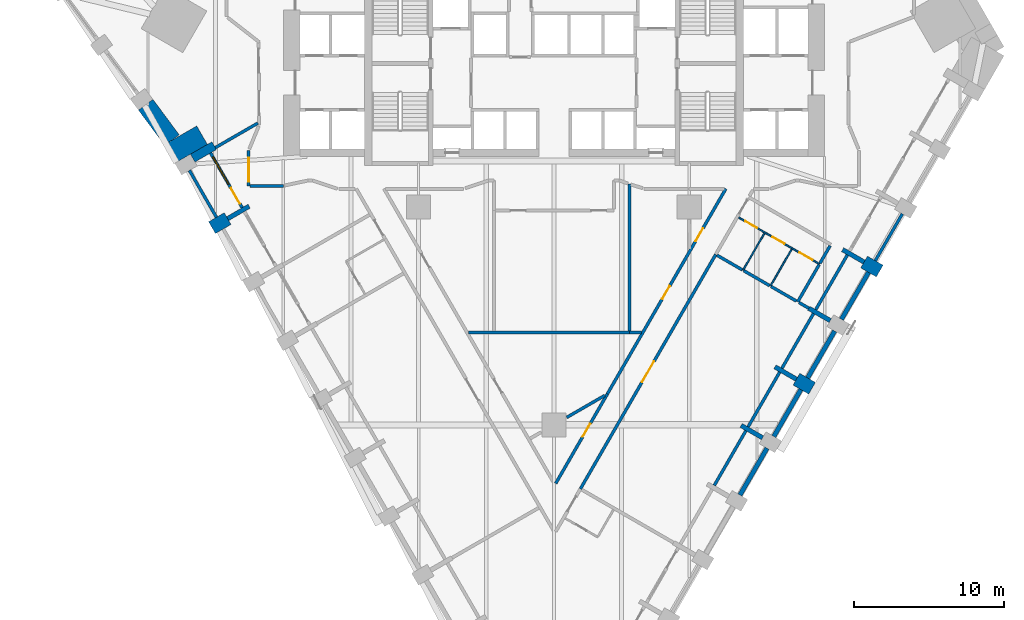
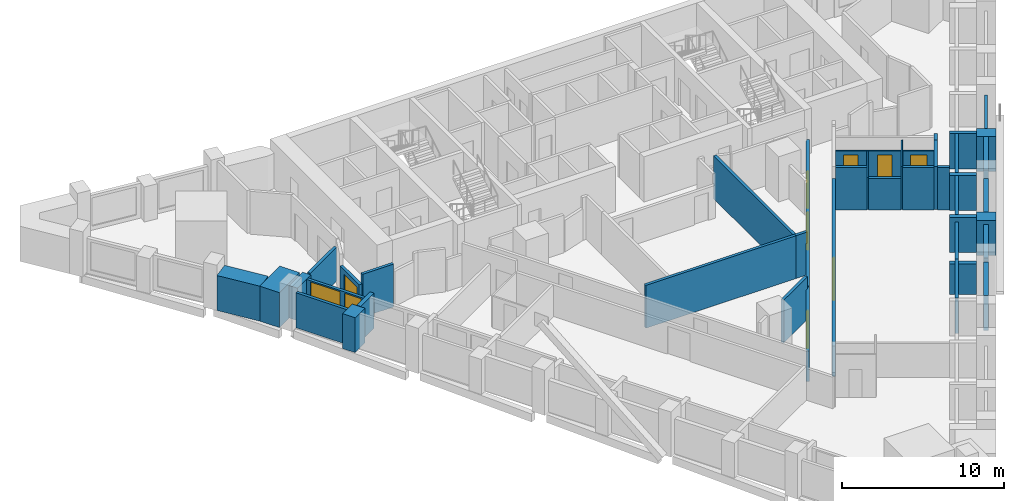
# One storey, part 4 of 10: 41 walls, 9 doors, 1 window, 10 openings.
"""IFC4 building model written with IfcOpenShell, lengths in metres."""

from ifc_helpers import new_model, si_unit, direction, frame, frame_2d, origin, place, context, subcontext, project, spatial, polyline, rectangle, outline, extrude, material, layer, layer_set, type_object, element, fill, save


model = new_model("IFC4")

# Units and contexts
model_context = context("Model", 3, precision=1e-05, world=origin(), true_north=direction((0.0, 1.0)))
body_context = subcontext(model_context, "Body", "Model", "MODEL_VIEW")
ifc_project = project(units=[si_unit("LENGTHUNIT", "METRE"), si_unit("AREAUNIT", "SQUARE_METRE"), si_unit("VOLUMEUNIT", "CUBIC_METRE"), si_unit("PLANEANGLEUNIT", "RADIAN"), si_unit("MASSUNIT", "GRAM", prefix="KILO")], contexts=[model_context])

# Site, building, storey
site_placement = place(None, origin())
site = spatial("IfcSite", under=ifc_project, at=site_placement, CompositionType="ELEMENT")
building_placement = place(site_placement, origin())
building = spatial("IfcBuilding", under=site, at=building_placement, Name="Calabash Gate Tower", CompositionType="ELEMENT")
storey_placement = place(building_placement, frame((0.0, 0.0, 59.60009765625)))
storey = spatial("IfcBuildingStorey", under=building, at=storey_placement, Name="L10", CompositionType="ELEMENT", Elevation=59.60009765625)

# Walls
ifc_material_1 = material(Name="Terracotta brick masonry, exposed face", Category="masonry")
ifc_layer_1 = layer(ifc_material_1, 2.5)
ifc_layer_set_1 = layer_set([ifc_layer_1], Name="Brick corner mass wall 2500")
wall_type_1 = type_object("IfcWallType", Name="Brick corner mass wall 2500", PredefinedType="SOLIDWALL", material=ifc_layer_set_1)
wall_1_placement = place(storey_placement, frame((-25.568603515625, 6.014404296875, 0.0), z_axis=(0.0, 0.0, 1.0), x_axis=(0.866022959057, 0.500004234368, 0.0)))
element("IfcWall", 1, at=wall_1_placement, inside=storey, type_object=wall_type_1, Name="Brick corner pier S02 1", PredefinedType="SOLIDWALL", context=body_context, shape_type="SweptSolid", body=[
    extrude(rectangle(XDim=2.5, YDim=1.417236328125, at=frame_2d((1.25, 0.0))), origin(), (0.0, 0.0, 1.0), 2.6298828125),
])
ifc_material_2 = material(Name="Terracotta brick masonry, exposed face", Category="masonry")
ifc_layer_2 = layer(ifc_material_2, 1.199951171875)
ifc_layer_set_2 = layer_set([ifc_layer_2], Name="Brick end wall 1200")
wall_type_2 = type_object("IfcWallType", Name="Brick end wall 1200", PredefinedType="SOLIDWALL", material=ifc_layer_set_2)
for number, where, z_axis, x_axis, name in (
    (2, (-22.7392578125, 1.114013671875, 0.0), (0.0, 0.0, 1.0), (0.866043267704, 0.499969057507, 0.0), "Brick pier S02 SW0.1"),
    (3, (17.168701171875, -9.56787109375, 0.0), (0.0, 0.0, 1.0), (-0.866043267704, 0.499969057507, 0.0), "Brick pier S02 SE2.5"),
):
    element("IfcWall", number, at=place(storey_placement, frame(where, z_axis=z_axis, x_axis=x_axis)), inside=storey, type_object=wall_type_2, Name=name, PredefinedType="SOLIDWALL", context=body_context, shape_type="SweptSolid", body=[
        extrude(rectangle(XDim=1.19970703125, YDim=0.89990234375, at=frame_2d((0.599853515625, 0.0))), origin(), (0.0, 0.0, 1.0), 2.6298828125),
    ])
wall_2_placement = place(storey_placement, frame((21.668701171875, -1.773681640625, 0.0), z_axis=(0.0, 0.0, 1.0), x_axis=(-0.865955154139, 0.50012165622, 0.0)))
element("IfcWall", 4, at=wall_2_placement, inside=storey, type_object=wall_type_2, Name="Brick pier S02 SE2.7", PredefinedType="SOLIDWALL", context=body_context, shape_type="SweptSolid", body=[
    extrude(rectangle(XDim=1.199951171875, YDim=0.89990234375, at=frame_2d((0.60009765625, 0.0))), origin(), (0.0, 0.0, 1.0), 2.6298828125),
])
wall_3_placement = place(storey_placement, origin())
element("IfcWall", 5, at=wall_3_placement, inside=storey, type_object=wall_type_2, Name="Brick end wall S02 3", PredefinedType="SOLIDWALL", context=body_context, shape_type="SweptSolid", body=[
    extrude(outline(polyline([(-24.921142578125, 7.285400390625), (-26.6708984375, 9.64697265625), (-26.671142578125, 9.646728515625), (-26.6708984375, 9.646484375), (-27.635009765625, 8.932373046875), (-25.90576171875, 6.5986328125), (-25.9228515625, 6.628173828125), (-25.4033203125, 6.92822265625), (-24.921142578125, 7.285400390625)])), origin(), (0.0, 0.0, 1.0), 2.6298828125),
])
ifc_material_3 = material(Name="Terracotta brick masonry, exposed face", Category="masonry")
ifc_layer_3 = layer(ifc_material_3, 0.300048828125)
ifc_layer_set_3 = layer_set([ifc_layer_3], Name="Brick infill panel wall 300")
wall_type_3 = type_object("IfcWallType", Name="Brick infill panel wall 300", PredefinedType="SOLIDWALL", material=ifc_layer_set_3)
wall_4_placement = place(storey_placement, frame((12.374267578125, -16.67236328125, 0.0), z_axis=(0.0, 0.0, 1.0), x_axis=(0.499961193289, 0.866047807691, 0.0)))
element("IfcWall", 6, at=wall_4_placement, inside=storey, type_object=wall_type_3, Name="Brick panel S02 SE2.4", PredefinedType="SOLIDWALL", context=body_context, shape_type="SweptSolid", body=[
    extrude(rectangle(XDim=3.599853515625, YDim=0.300048828125, at=frame_2d((1.7998046875, 0.0))), origin(), (0.0, 0.0, 1.0), 2.6298828125),
])
wall_5_placement = place(storey_placement, frame((14.625, -12.77392578125, 0.0), z_axis=(0.0, 0.0, 1.0), x_axis=(0.499984792966, 0.866034183392, 0.0)))
element("IfcWall", 7, at=wall_5_placement, inside=storey, type_object=wall_type_3, Name="Brick panel S02 SE2.5", PredefinedType="SOLIDWALL", context=body_context, shape_type="SweptSolid", body=[
    extrude(rectangle(XDim=3.59814453125, YDim=0.300048828125, at=frame_2d((1.799072265625, 0.0))), origin(), (0.0, 0.0, 1.0), 2.30224609375),
])
for number, where, z_axis, x_axis, name in (
    (8, (16.874267578125, -8.878173828125, 0.0), (0.0, 0.0, 1.0), (0.499961193289, 0.866047807691, 0.0), "Brick panel S02 SE2.6"),
    (9, (19.124267578125, -4.981201171875, 0.0), (0.0, 0.0, 1.0), (0.499961193289, 0.866047807691, 0.0), "Brick panel S02 SE2.7"),
):
    element("IfcWall", number, at=place(storey_placement, frame(where, z_axis=z_axis, x_axis=x_axis)), inside=storey, type_object=wall_type_3, Name=name, PredefinedType="SOLIDWALL", context=body_context, shape_type="SweptSolid", body=[
        extrude(rectangle(XDim=3.599853515625, YDim=0.300048828125, at=frame_2d((1.7998046875, 0.0))), origin(), (0.0, 0.0, 1.0), 2.6298828125),
    ])
ifc_material_4 = material(Name="Terracotta brick masonry, exposed face", Category="masonry")
ifc_layer_4 = layer(ifc_material_4, 0.300048828125)
ifc_layer_set_4 = layer_set([ifc_layer_4], Name="Brick loggia cheek wall 300")
wall_type_4 = type_object("IfcWallType", Name="Brick loggia cheek wall 300", PredefinedType="SOLIDWALL", material=ifc_layer_set_4)
wall_6_placement = place(storey_placement, frame((-22.59619140625, 6.56591796875, 0.0), z_axis=(0.0, 0.0, 1.0), x_axis=(-0.866040211805, -0.499974350878, 0.0)))
element("IfcWall", 10, at=wall_6_placement, inside=storey, type_object=wall_type_4, Name="Loggia cheek S02 SW0.0", PredefinedType="SOLIDWALL", context=body_context, shape_type="SweptSolid", body=[
    extrude(rectangle(XDim=1.64990234375, YDim=0.60009765625, at=frame_2d((0.824951171875, 0.0))), origin(), (0.0, 0.0, 1.0), 2.449951171875),
])
wall_7_placement = place(storey_placement, frame((-20.271240234375, 2.5390625, 0.0), z_axis=(0.0, 0.0, 1.0), x_axis=(-0.865976140824, -0.500085316245, 0.0)))
element("IfcWall", 11, at=wall_7_placement, inside=storey, type_object=wall_type_4, Name="Loggia cheek S02 SW0.1", PredefinedType="SOLIDWALL", context=body_context, shape_type="SweptSolid", body=[
    extrude(rectangle(XDim=1.650146484375, YDim=0.300048828125, at=frame_2d((0.8251953125, 0.0))), origin(), (0.0, 0.0, 1.0), 2.64990234375),
])
wall_8_placement = place(storey_placement, frame((13.87841796875, -12.864501953125, 0.0), z_axis=(0.0, 0.0, 1.0), x_axis=(-0.865983361098, 0.500072813, 0.0)))
element("IfcWall", 12, at=wall_8_placement, inside=storey, type_object=wall_type_4, Name="Loggia cheek S02 SE2.4", PredefinedType="SOLIDWALL", context=body_context, shape_type="SweptSolid", body=[
    extrude(rectangle(XDim=1.648681640625, YDim=0.300048828125, at=frame_2d((0.82421875, 0.0))), origin(), (0.0, 0.0, 1.0), 2.30224609375),
])
wall_9_placement = place(storey_placement, frame((14.70068359375, -8.142822265625, 0.0), z_axis=(0.0, 0.0, 1.0), x_axis=(0.865976140824, -0.500085316245, 0.0)))
element("IfcWall", 13, at=wall_9_placement, inside=storey, type_object=wall_type_4, Name="Loggia cheek S02 SE2.5", PredefinedType="SOLIDWALL", context=body_context, shape_type="SweptSolid", body=[
    extrude(rectangle(XDim=1.650146484375, YDim=0.300048828125, at=frame_2d((0.8251953125, 0.0))), origin(), (0.0, 0.0, 1.0), 2.64990234375),
])
wall_10_placement = place(storey_placement, frame((18.37939453125, -5.07080078125, 0.0), z_axis=(0.0, 0.0, 1.0), x_axis=(-0.866003217194, 0.500038426333, 0.0)))
element("IfcWall", 14, at=wall_10_placement, inside=storey, type_object=wall_type_4, Name="Loggia cheek S02 SE2.6", PredefinedType="SOLIDWALL", context=body_context, shape_type="SweptSolid", body=[
    extrude(rectangle(XDim=1.649658203125, YDim=0.300048828125, at=frame_2d((0.82470703125, 0.0))), origin(), (0.0, 0.0, 1.0), 2.64990234375),
])
wall_11_placement = place(storey_placement, frame((19.20068359375, -0.3486328125, 0.0), z_axis=(0.0, 0.0, 1.0), x_axis=(0.866040211805, -0.499974350878, 0.0)))
element("IfcWall", 15, at=wall_11_placement, inside=storey, type_object=wall_type_4, Name="Loggia cheek S02 SE2.7", PredefinedType="SOLIDWALL", context=body_context, shape_type="SweptSolid", body=[
    extrude(rectangle(XDim=1.64990234375, YDim=0.300048828125, at=frame_2d((0.824951171875, 0.0))), origin(), (0.0, 0.0, 1.0), 2.64990234375),
])

# Wall, openings, doors
ifc_material_5 = material(Name="Gypsum board on steel studs, mineral wool", Category="steel")
ifc_layer_5 = layer(ifc_material_5, 0.10009765625)
ifc_layer_set_5 = layer_set([ifc_layer_5], Name="Partition 100 gypsum board")
wall_type_5 = type_object("IfcWallType", Name="Partition 100 gypsum board", PredefinedType="PARTITIONING", material=ifc_layer_set_5)
wall_12_placement = place(storey_placement, frame((12.296875, 1.789794921875, 0.0), z_axis=(0.0, 0.0, 1.0), x_axis=(0.866018973846, -0.500011136814, 0.0)))
wall_12 = element("IfcWall", 16, at=wall_12_placement, inside=storey, type_object=wall_type_5, Name="Partition", PredefinedType="PARTITIONING", context=body_context, shape_type="SweptSolid", body=[
    extrude(rectangle(XDim=6.197998046875, YDim=0.10009765625, at=frame_2d((3.09912109375, 0.0))), origin(), (0.0, 0.0, 1.0), 2.384033203125),
])
opening_1_placement = place(wall_12_placement, frame((0.498046875, 0.0, 0.0)))
opening_1 = element("IfcOpeningElement", 17, at=opening_1_placement, cuts=wall_12, Name="Opening 09-11-013", PredefinedType="OPENING", context=body_context, shape_type="SweptSolid", body=[
    extrude(rectangle(XDim=0.89990234375, YDim=2.10009765625, at=frame_2d((0.449951171875, 1.050048828125))), frame((0.0, 0.06005859375, 0.0), z_axis=(0.0, -1.0, 0.0), x_axis=(1.0, 0.0, 0.0)), (0.0, 0.0, 1.0), 0.1201171875),
])
opening_2_placement = place(wall_12_placement, frame((2.59814453125, 0.0, 0.0)))
opening_2 = element("IfcOpeningElement", 18, at=opening_2_placement, cuts=wall_12, Name="Opening 09-11-014", PredefinedType="OPENING", context=body_context, shape_type="SweptSolid", body=[
    extrude(rectangle(XDim=0.89990234375, YDim=2.10009765625, at=frame_2d((0.449951171875, 1.050048828125))), frame((0.0, 0.06005859375, 0.0), z_axis=(0.0, -1.0, 0.0), x_axis=(1.0, 0.0, 0.0)), (0.0, 0.0, 1.0), 0.1201171875),
])
opening_3_placement = place(wall_12_placement, frame((4.64794921875, 0.0, 0.0)))
opening_3 = element("IfcOpeningElement", 19, at=opening_3_placement, cuts=wall_12, Name="Opening 09-11-015", PredefinedType="OPENING", context=body_context, shape_type="SweptSolid", body=[
    extrude(rectangle(XDim=1.0, YDim=2.10009765625, at=frame_2d((0.5, 1.050048828125))), frame((0.0, 0.06005859375, 0.0), z_axis=(0.0, -1.0, 0.0), x_axis=(1.0, 0.0, 0.0)), (0.0, 0.0, 1.0), 0.1201171875),
])
ifc_material_6 = material(Name="Painted timber door", Category="wood")
door_type_1 = type_object("IfcDoorType", Name="WD1 WC door 900x2100", OperationType="NOTDEFINED", PredefinedType="DOOR", material=ifc_material_6)
door_1_placement = place(opening_1_placement, origin())
door_1 = element("IfcDoor", 20, at=door_1_placement, inside=storey, type_object=door_type_1, Name="WC door", OperationType="SINGLE_SWING_RIGHT", OverallHeight=2.10009765625, OverallWidth=0.89990234375, PredefinedType="DOOR", context=body_context, shape_type="SweptSolid", body=[
    extrude(rectangle(XDim=0.89990234375, YDim=2.10009765625, at=frame_2d((0.449951171875, 1.050048828125))), frame((0.0, 0.02490234375, 0.0), z_axis=(0.0, -1.0, 0.0), x_axis=(1.0, 0.0, 0.0)), (0.0, 0.0, 1.0), 0.050048828125),
])
fill(opening_1, door_1)
door_2_placement = place(opening_2_placement, origin())
door_2 = element("IfcDoor", 21, at=door_2_placement, inside=storey, type_object=door_type_1, Name="WC door", OperationType="SINGLE_SWING_RIGHT", OverallHeight=2.10009765625, OverallWidth=0.89990234375, PredefinedType="DOOR", context=body_context, shape_type="SweptSolid", body=[
    extrude(rectangle(XDim=0.89990234375, YDim=2.10009765625, at=frame_2d((0.449951171875, 1.050048828125))), frame((0.0, 0.02490234375, 0.0), z_axis=(0.0, -1.0, 0.0), x_axis=(1.0, 0.0, 0.0)), (0.0, 0.0, 1.0), 0.050048828125),
])
fill(opening_2, door_2)
ifc_material_7 = material(Name="Painted timber door", Category="wood")
door_type_2 = type_object("IfcDoorType", Name="WD2 Accessible WC door 1000x2100", OperationType="NOTDEFINED", PredefinedType="DOOR", material=ifc_material_7)
door_3_placement = place(opening_3_placement, origin())
door_3 = element("IfcDoor", 22, at=door_3_placement, inside=storey, type_object=door_type_2, Name="Accessible WC door", OperationType="SINGLE_SWING_LEFT", OverallHeight=2.10009765625, OverallWidth=1.0, PredefinedType="DOOR", context=body_context, shape_type="SweptSolid", body=[
    extrude(rectangle(XDim=1.0, YDim=2.10009765625, at=frame_2d((0.5, 1.050048828125))), frame((0.0, 0.02490234375, 0.0), z_axis=(0.0, -1.0, 0.0), x_axis=(1.0, 0.0, 0.0)), (0.0, 0.0, 1.0), 0.050048828125),
])
fill(opening_3, door_3)

# Walls
wall_13_placement = place(storey_placement, frame((14.397705078125, -2.771484375, 0.0), z_axis=(0.0, 0.0, 1.0), x_axis=(0.500009219579, 0.866020080793, 0.0)))
element("IfcWall", 23, at=wall_13_placement, inside=storey, type_object=wall_type_5, Name="Partition", PredefinedType="PARTITIONING", context=body_context, shape_type="SweptSolid", body=[
    extrude(rectangle(XDim=2.849609375, YDim=0.10009765625, at=frame_2d((1.4248046875, 0.0))), origin(), (0.0, 0.0, 1.0), 3.22998046875),
])
wall_14_placement = place(storey_placement, frame((12.5791015625, -1.7216796875, 0.0), z_axis=(0.0, 0.0, 1.0), x_axis=(0.499972122318, 0.866041498374, 0.0)))
element("IfcWall", 24, at=wall_14_placement, inside=storey, type_object=wall_type_5, Name="Partition", PredefinedType="PARTITIONING", context=body_context, shape_type="SweptSolid", body=[
    extrude(rectangle(XDim=2.849853515625, YDim=0.10009765625, at=frame_2d((1.4248046875, 0.0))), origin(), (0.0, 0.0, 1.0), 2.384033203125),
])

# Wall, opening, door
ifc_material_8 = material(Name="Gypsum board on steel studs, mineral wool", Category="steel")
ifc_layer_6 = layer(ifc_material_8, 0.199951171875)
ifc_layer_set_6 = layer_set([ifc_layer_6], Name="Partition 200 gypsum board EI 60")
wall_type_6 = type_object("IfcWallType", Name="Partition 200 gypsum board EI 60", PredefinedType="PARTITIONING", material=ifc_layer_set_6)
wall_15_placement = place(storey_placement, frame((0.117431640625, -15.9013671875, 0.0), z_axis=(0.0, 0.0, 1.0), x_axis=(0.49997760006, 0.866038336009, 0.0)))
wall_15 = element("IfcWall", 25, at=wall_15_placement, inside=storey, type_object=wall_type_6, Name="Partition", PredefinedType="PARTITIONING", context=body_context, shape_type="SweptSolid", body=[
    extrude(rectangle(XDim=6.874755859375, YDim=0.199951171875, at=frame_2d((3.4375, 0.0))), origin(), (0.0, 0.0, 1.0), 2.30224609375),
])
opening_4_placement = place(wall_15_placement, frame((3.588134765625, 0.0, 0.0)))
opening_4 = element("IfcOpeningElement", 26, at=opening_4_placement, cuts=wall_15, Name="Opening 09-11-009", PredefinedType="OPENING", context=body_context, shape_type="SweptSolid", body=[
    extrude(rectangle(XDim=1.0, YDim=2.10009765625, at=frame_2d((0.5, 1.050048828125))), frame((0.0, 0.10986328125, 0.0), z_axis=(0.0, -1.0, 0.0), x_axis=(1.0, 0.0, 0.0)), (0.0, 0.0, 1.0), 0.219970703125),
])
ifc_material_9 = material(Name="Steel fire door set with fire-resisting glazing", Category="steel")
door_type_3 = type_object("IfcDoorType", Name="LD2 Meeting room door 1000x2100", OperationType="NOTDEFINED", PredefinedType="DOOR", material=ifc_material_9)
door_4_placement = place(opening_4_placement, origin())
door_4 = element("IfcDoor", 27, at=door_4_placement, inside=storey, type_object=door_type_3, Name="Meeting room door", OperationType="SINGLE_SWING_RIGHT", OverallHeight=2.10009765625, OverallWidth=1.0, PredefinedType="DOOR", context=body_context, shape_type="SweptSolid", body=[
    extrude(rectangle(XDim=1.0, YDim=2.10009765625, at=frame_2d((0.5, 1.050048828125))), frame((0.0, 0.02490234375, 0.0), z_axis=(0.0, -1.0, 0.0), x_axis=(1.0, 0.0, 0.0)), (0.0, 0.0, 1.0), 0.050048828125),
])
fill(opening_4, door_4)

# Wall
wall_16_placement = place(storey_placement, frame((0.85009765625, -11.509033203125, 0.0), z_axis=(0.0, 0.0, 1.0), x_axis=(0.865875518892, 0.500259518434, 0.0)))
element("IfcWall", 28, at=wall_16_placement, inside=storey, type_object=wall_type_6, Name="Partition", PredefinedType="PARTITIONING", context=body_context, shape_type="SweptSolid", body=[
    extrude(rectangle(XDim=2.9248046875, YDim=0.199951171875, at=frame_2d((1.46240234375, 0.0))), origin(), (0.0, 0.0, 1.0), 3.22998046875),
])

# Wall, openings, doors
wall_17_placement = place(storey_placement, frame((3.552001953125, -9.94921875, 0.0), z_axis=(0.0, 0.0, 1.0), x_axis=(0.4999924075, 0.866029787272, 0.0)))
wall_17 = element("IfcWall", 29, at=wall_17_placement, inside=storey, type_object=wall_type_6, Name="Partition", PredefinedType="PARTITIONING", context=body_context, shape_type="SweptSolid", body=[
    extrude(rectangle(XDim=15.761474609375, YDim=0.199951171875, at=frame_2d((7.880859375, 0.0))), origin(), (0.0, 0.0, 1.0), 2.384033203125),
])
opening_5_placement = place(wall_17_placement, frame((7.303955078125, 0.0, 0.0)))
opening_5 = element("IfcOpeningElement", 30, at=opening_5_placement, cuts=wall_17, Name="Opening 09-11-006", PredefinedType="OPENING", context=body_context, shape_type="SweptSolid", body=[
    extrude(rectangle(XDim=1.0, YDim=2.10009765625, at=frame_2d((0.5, 1.050048828125))), frame((0.0, 0.10986328125, 0.0), z_axis=(0.0, -1.0, 0.0), x_axis=(1.0, 0.0, 0.0)), (0.0, 0.0, 1.0), 0.219970703125),
])
opening_6_placement = place(wall_17_placement, frame((11.7265625, 0.0, 0.0)))
opening_6 = element("IfcOpeningElement", 31, at=opening_6_placement, cuts=wall_17, Name="Opening 09-11-007", PredefinedType="OPENING", context=body_context, shape_type="SweptSolid", body=[
    extrude(rectangle(XDim=1.0, YDim=2.10009765625, at=frame_2d((0.5, 1.050048828125))), frame((0.0, 0.10986328125, 0.0), z_axis=(0.0, -1.0, 0.0), x_axis=(1.0, 0.0, 0.0)), (0.0, 0.0, 1.0), 0.219970703125),
])
door_5_placement = place(opening_5_placement, origin())
door_5 = element("IfcDoor", 32, at=door_5_placement, inside=storey, type_object=door_type_3, Name="Meeting room door", OperationType="SINGLE_SWING_LEFT", OverallHeight=2.10009765625, OverallWidth=1.0, PredefinedType="DOOR", context=body_context, shape_type="SweptSolid", body=[
    extrude(rectangle(XDim=1.0, YDim=2.10009765625, at=frame_2d((0.5, 1.050048828125))), frame((0.0, 0.02490234375, 0.0), z_axis=(0.0, -1.0, 0.0), x_axis=(1.0, 0.0, 0.0)), (0.0, 0.0, 1.0), 0.050048828125),
])
fill(opening_5, door_5)
door_6_placement = place(opening_6_placement, origin())
door_6 = element("IfcDoor", 33, at=door_6_placement, inside=storey, type_object=door_type_3, Name="Meeting room door", OperationType="SINGLE_SWING_RIGHT", OverallHeight=2.10009765625, OverallWidth=1.0, PredefinedType="DOOR", context=body_context, shape_type="SweptSolid", body=[
    extrude(rectangle(XDim=1.0, YDim=2.10009765625, at=frame_2d((0.5, 1.050048828125))), frame((0.0, 0.02490234375, 0.0), z_axis=(0.0, -1.0, 0.0), x_axis=(1.0, 0.0, 0.0)), (0.0, 0.0, 1.0), 0.050048828125),
])
fill(opening_6, door_6)

# Walls
wall_18_placement = place(storey_placement, frame((-5.67431640625, -5.869873046875, 0.0), z_axis=(0.0, 0.0, 1.0), x_axis=(0.999999987222, 0.000159861147, 0.0)))
element("IfcWall", 34, at=wall_18_placement, inside=storey, type_object=wall_type_6, Name="Partition", PredefinedType="PARTITIONING", context=body_context, shape_type="SweptSolid", body=[
    extrude(rectangle(XDim=10.6904296875, YDim=0.199951171875, at=frame_2d((5.34521484375, 0.0))), origin(), (0.0, 0.0, 1.0), 3.22998046875),
])
wall_19_placement = place(storey_placement, frame((5.01220703125, -5.8681640625, 0.0), z_axis=(0.0, 0.0, 1.0), x_axis=(0.99999831045, -0.001838232188, 0.0)))
element("IfcWall", 35, at=wall_19_placement, inside=storey, type_object=wall_type_6, Name="Partition", PredefinedType="PARTITIONING", context=body_context, shape_type="SweptSolid", body=[
    extrude(rectangle(XDim=0.796875, YDim=0.199951171875, at=frame_2d((0.3984375, 0.0))), origin(), (0.0, 0.0, 1.0), 3.22998046875),
])
wall_20_placement = place(storey_placement, frame((5.01220703125, -5.767822265625, 0.0), z_axis=(0.0, 0.0, 1.0), x_axis=(0.0, 1.0, 0.0)))
element("IfcWall", 36, at=wall_20_placement, inside=storey, type_object=wall_type_6, Name="Partition", PredefinedType="PARTITIONING", context=body_context, shape_type="SweptSolid", body=[
    extrude(rectangle(XDim=9.796875, YDim=0.199951171875, at=frame_2d((4.8984375, 0.0))), origin(), (0.0, 0.0, 1.0), 3.22998046875),
])
wall_21_placement = place(storey_placement, frame((16.30224609375, -3.869384765625, 0.0), z_axis=(0.0, 0.0, 1.0), x_axis=(0.864957684326, -0.501844801034, 0.0)))
element("IfcWall", 37, at=wall_21_placement, inside=storey, type_object=wall_type_6, Name="Partition", PredefinedType="PARTITIONING", context=body_context, shape_type="SweptSolid", body=[
    extrude(rectangle(XDim=0.749755859375, YDim=0.199951171875, at=frame_2d((0.375, 0.0))), origin(), (0.0, 0.0, 1.0), 3.22998046875),
])
wall_22_placement = place(storey_placement, frame((16.214599609375, -3.820556640625, 0.0), z_axis=(0.0, 0.0, 1.0), x_axis=(0.499509955189, 0.866308146486, 0.0)))
element("IfcWall", 38, at=wall_22_placement, inside=storey, type_object=wall_type_6, Name="Partition", PredefinedType="PARTITIONING", context=body_context, shape_type="SweptSolid", body=[
    extrude(rectangle(XDim=2.851318359375, YDim=0.199951171875, at=frame_2d((1.42578125, 0.0))), origin(), (0.0, 0.0, 1.0), 3.22998046875),
])
wall_23_placement = place(storey_placement, frame((14.440185546875, -2.794189453125, 0.0), z_axis=(0.0, 0.0, 1.0), x_axis=(0.865603401191, -0.500730218626, 0.0)))
element("IfcWall", 39, at=wall_23_placement, inside=storey, type_object=wall_type_6, Name="Partition", PredefinedType="PARTITIONING", context=body_context, shape_type="SweptSolid", body=[
    extrude(rectangle(XDim=1.94970703125, YDim=0.199951171875, at=frame_2d((0.974853515625, 0.0))), origin(), (0.0, 0.0, 1.0), 3.22998046875),
])
wall_24_placement = place(storey_placement, frame((12.62158203125, -1.744140625, 0.0), z_axis=(0.0, 0.0, 1.0), x_axis=(0.865571128327, -0.500786004005, 0.0)))
element("IfcWall", 40, at=wall_24_placement, inside=storey, type_object=wall_type_6, Name="Partition", PredefinedType="PARTITIONING", context=body_context, shape_type="SweptSolid", body=[
    extrude(rectangle(XDim=1.999755859375, YDim=0.199951171875, at=frame_2d((1.0, 0.0))), origin(), (0.0, 0.0, 1.0), 2.384033203125),
])
wall_25_placement = place(storey_placement, frame((17.689208984375, -1.263427734375, 0.0), z_axis=(0.0, 0.0, 1.0), x_axis=(0.501000622125, 0.865446923058, 0.0)))
element("IfcWall", 41, at=wall_25_placement, inside=storey, type_object=wall_type_6, Name="Partition", PredefinedType="PARTITIONING", context=body_context, shape_type="SweptSolid", body=[
    extrude(rectangle(XDim=1.349853515625, YDim=0.199951171875, at=frame_2d((0.6748046875, 0.0))), origin(), (0.0, 0.0, 1.0), 2.70166015625),
])
wall_26_placement = place(storey_placement, frame((10.847900390625, -0.72021484375, 0.0), z_axis=(0.0, 0.0, 1.0), x_axis=(0.865600721384, -0.500734851134, 0.0)))
element("IfcWall", 42, at=wall_26_placement, inside=storey, type_object=wall_type_6, Name="Partition", PredefinedType="PARTITIONING", context=body_context, shape_type="SweptSolid", body=[
    extrude(rectangle(XDim=1.94775390625, YDim=0.199951171875, at=frame_2d((0.973876953125, 0.0))), origin(), (0.0, 0.0, 1.0), 3.22998046875),
])

# Wall, opening, door
wall_27_placement = place(storey_placement, frame((1.76025390625, -16.26025390625, 0.0), z_axis=(0.0, 0.0, 1.0), x_axis=(0.5000018851, 0.866024315419, 0.0)))
wall_27 = element("IfcWall", 43, at=wall_27_placement, inside=storey, type_object=wall_type_6, Name="Partition", PredefinedType="PARTITIONING", context=body_context, shape_type="SweptSolid", body=[
    extrude(rectangle(XDim=18.0, YDim=0.199951171875, at=frame_2d((9.0, 0.0))), origin(), (0.0, 0.0, 1.0), 2.30224609375),
])
opening_7_placement = place(wall_27_placement, frame((8.199951171875, 0.0, 0.0)))
opening_7 = element("IfcOpeningElement", 44, at=opening_7_placement, cuts=wall_27, Name="Opening 09-11-004", PredefinedType="OPENING", context=body_context, shape_type="SweptSolid", body=[
    extrude(rectangle(XDim=1.60009765625, YDim=2.10009765625, at=frame_2d((0.800048828125, 1.050048828125))), frame((0.0, 0.10986328125, 0.0), z_axis=(0.0, -1.0, 0.0), x_axis=(1.0, 0.0, 0.0)), (0.0, 0.0, 1.0), 0.219970703125),
])
ifc_material_10 = material(Name="Steel fire door set with fire-resisting glazing", Category="steel")
door_type_4 = type_object("IfcDoorType", Name="LD1 Lounge double door 1600x2100", OperationType="NOTDEFINED", PredefinedType="DOOR", material=ifc_material_10)
door_7_placement = place(opening_7_placement, origin())
door_7 = element("IfcDoor", 45, at=door_7_placement, inside=storey, type_object=door_type_4, Name="Lounge double door", OperationType="DOUBLE_DOOR_SINGLE_SWING", OverallHeight=2.10009765625, OverallWidth=1.60009765625, PredefinedType="DOOR", context=body_context, shape_type="SweptSolid", body=[
    extrude(rectangle(XDim=1.60009765625, YDim=2.10009765625, at=frame_2d((0.800048828125, 1.050048828125))), frame((0.0, 0.02490234375, 0.0), z_axis=(0.0, -1.0, 0.0), x_axis=(1.0, 0.0, 0.0)), (0.0, 0.0, 1.0), 0.050048828125),
])
fill(opening_7, door_7)

wall_28_placement = place(storey_placement, frame((-20.300537109375, 6.252685546875, 0.0), z_axis=(0.0, 0.0, 1.0), x_axis=(0.000103755965, -0.999999994617, 0.0)))
wall_28 = element("IfcWall", 46, at=wall_28_placement, inside=storey, type_object=wall_type_6, Name="Partition", PredefinedType="PARTITIONING", context=body_context, shape_type="SweptSolid", body=[
    extrude(rectangle(XDim=2.35302734375, YDim=0.199951171875, at=frame_2d((1.176513671875, 0.0))), origin(), (0.0, 0.0, 1.0), 2.449951171875),
])
opening_8_placement = place(wall_28_placement, frame((0.476318359375, 0.0, 0.0)))
opening_8 = element("IfcOpeningElement", 47, at=opening_8_placement, cuts=wall_28, Name="Opening 09-11-018", PredefinedType="OPENING", context=body_context, shape_type="SweptSolid", body=[
    extrude(rectangle(XDim=1.60009765625, YDim=2.10009765625, at=frame_2d((0.800048828125, 1.050048828125))), frame((0.0, 0.10986328125, 0.0), z_axis=(0.0, -1.0, 0.0), x_axis=(1.0, 0.0, 0.0)), (0.0, 0.0, 1.0), 0.219970703125),
])
door_8_placement = place(opening_8_placement, origin())
door_8 = element("IfcDoor", 48, at=door_8_placement, inside=storey, type_object=door_type_4, Name="Lounge double door", OperationType="DOUBLE_DOOR_SINGLE_SWING", OverallHeight=2.10009765625, OverallWidth=1.60009765625, PredefinedType="DOOR", context=body_context, shape_type="SweptSolid", body=[
    extrude(rectangle(XDim=1.60009765625, YDim=2.10009765625, at=frame_2d((0.800048828125, 1.050048828125))), frame((0.0, 0.02490234375, 0.0), z_axis=(0.0, -1.0, 0.0), x_axis=(1.0, 0.0, 0.0)), (0.0, 0.0, 1.0), 0.050048828125),
])
fill(opening_8, door_8)

# Walls
wall_29_placement = place(storey_placement, frame((-20.2001953125, 3.899658203125, 0.0), z_axis=(0.0, 0.0, 1.0), x_axis=(0.999999993844, -0.00011096316, 0.0)))
element("IfcWall", 49, at=wall_29_placement, inside=storey, type_object=wall_type_6, Name="Partition", PredefinedType="PARTITIONING", context=body_context, shape_type="SweptSolid", body=[
    extrude(rectangle(XDim=2.2001953125, YDim=0.199951171875, at=frame_2d((1.10009765625, 0.0))), origin(), (0.0, 0.0, 1.0), 3.22998046875),
])
wall_30_placement = place(storey_placement, frame((-22.52099609375, 6.435791015625, 0.0), z_axis=(0.0, 0.0, 1.0), x_axis=(0.866279994271, 0.499558776848, 0.0)))
element("IfcWall", 50, at=wall_30_placement, inside=storey, type_object=wall_type_6, Name="Partition", PredefinedType="PARTITIONING", context=body_context, shape_type="SweptSolid", body=[
    extrude(rectangle(XDim=3.271484375, YDim=0.199951171875, at=frame_2d((1.6357421875, 0.0))), origin(), (0.0, 0.0, 1.0), 2.5517578125),
])
ifc_material_11 = material(Name="Terracotta brick masonry, perforated", Category="masonry")
ifc_layer_7 = layer(ifc_material_11, 0.199951171875)
ifc_layer_set_7 = layer_set([ifc_layer_7], Name="Terracotta jaali screen B")
wall_type_7 = type_object("IfcWallType", Name="Terracotta jaali screen B", PredefinedType="SOLIDWALL", material=ifc_layer_set_7)
for number, where, z_axis, x_axis, name in (
    (51, (-24.24462890625, 4.92138671875, 0.0), (0.0, 0.0, 1.0), (0.499961193289, -0.866047807691, 0.0), "SCREEN B S02 SW0.1"),
    (52, (21.374267578125, -1.083984375, 0.0), (0.0, 0.0, 1.0), (0.499961193289, 0.866047807691, 0.0), "SCREEN B S02 SE2.8"),
):
    element("IfcWall", number, at=place(storey_placement, frame(where, z_axis=z_axis, x_axis=x_axis)), inside=storey, type_object=wall_type_7, Name=name, PredefinedType="SOLIDWALL", context=body_context, shape_type="SweptSolid", body=[
        extrude(rectangle(XDim=3.599853515625, YDim=0.199951171875, at=frame_2d((1.7998046875, 0.0))), origin(), (0.0, 0.0, 1.0), 2.6298828125),
    ])

# Wall, openings, door, window
ifc_material_12 = material(Name="Aluminium framed window wall with insulated spandrel", Category="aluminium")
ifc_layer_8 = layer(ifc_material_12, 0.199951171875)
ifc_layer_set_8 = layer_set([ifc_layer_8], Name="Window wall 200")
wall_type_8 = type_object("IfcWallType", Name="Window wall 200", PredefinedType="ELEMENTEDWALL", material=ifc_layer_set_8)
wall_31_placement = place(storey_placement, frame((-22.8359375, 6.081298828125, 0.0), z_axis=(0.0, 0.0, 1.0), x_axis=(0.500002543286, -0.866023935413, 0.0)))
wall_31 = element("IfcWall", 53, at=wall_31_placement, inside=storey, type_object=wall_type_8, Name="Window wall S02 SW0.1", PredefinedType="ELEMENTEDWALL", context=body_context, shape_type="SweptSolid", body=[
    extrude(rectangle(XDim=4.2001953125, YDim=0.199951171875, at=frame_2d((2.10009765625, 0.0))), origin(), (0.0, 0.0, 1.0), 2.449951171875),
])
opening_9_placement = place(wall_31_placement, frame((0.300048828125, 0.0, 0.60009765625)))
opening_9 = element("IfcOpeningElement", 54, at=opening_9_placement, cuts=wall_31, Name="Opening HW1L-1750", PredefinedType="OPENING", context=body_context, shape_type="SweptSolid", body=[
    extrude(rectangle(XDim=2.10009765625, YDim=1.75, at=frame_2d((1.050048828125, 0.875))), frame((0.0, 0.10986328125, 0.0), z_axis=(0.0, -1.0, 0.0), x_axis=(1.0, 0.0, 0.0)), (0.0, 0.0, 1.0), 0.219970703125),
])
opening_10_placement = place(wall_31_placement, frame((2.699951171875, 0.0, 0.0)))
opening_10 = element("IfcOpeningElement", 55, at=opening_10_placement, cuts=wall_31, Name="Opening H2-023", PredefinedType="OPENING", context=body_context, shape_type="SweptSolid", body=[
    extrude(rectangle(XDim=1.199951171875, YDim=2.35009765625, at=frame_2d((0.60009765625, 1.175048828125))), frame((0.0, 0.10986328125, 0.0), z_axis=(0.0, -1.0, 0.0), x_axis=(1.0, 0.0, 0.0)), (0.0, 0.0, 1.0), 0.219970703125),
])
ifc_material_13 = material(Name="Anodised aluminium frame, bronze finish, impact-rated laminated clear glazing", Category="aluminium")
door_type_5 = type_object("IfcDoorType", Name="Loggia door DH1L-2350 1200x2350", OperationType="SLIDING_TO_LEFT", PredefinedType="DOOR", material=ifc_material_13)
door_9_placement = place(opening_10_placement, origin())
door_9 = element("IfcDoor", 56, at=door_9_placement, inside=storey, type_object=door_type_5, Name="Loggia door S02 SW0.1", OperationType="SINGLE_SWING_LEFT", OverallHeight=2.35009765625, OverallWidth=1.199951171875, PredefinedType="DOOR", context=body_context, shape_type="SweptSolid", body=[
    extrude(rectangle(XDim=1.199951171875, YDim=2.35009765625, at=frame_2d((0.60009765625, 1.175048828125))), frame((0.0, 0.02490234375, 0.0), z_axis=(0.0, -1.0, 0.0), x_axis=(1.0, 0.0, 0.0)), (0.0, 0.0, 1.0), 0.050048828125),
])
fill(opening_10, door_9)
ifc_material_14 = material(Name="Anodised aluminium frame, bronze finish, impact-rated laminated clear glazing", Category="aluminium")
window_type = type_object("IfcWindowType", Name="Window HW1L 2100x1750", PartitioningType="DOUBLE_PANEL_VERTICAL", PredefinedType="WINDOW", material=ifc_material_14)
window_placement = place(opening_9_placement, origin())
window = element("IfcWindow", 57, at=window_placement, inside=storey, type_object=window_type, Name="Window HW1 S02 SW0.1", OverallHeight=1.75, OverallWidth=2.10009765625, PartitioningType="SINGLE_PANEL", PredefinedType="WINDOW", context=body_context, shape_type="SweptSolid", body=[
    extrude(rectangle(XDim=2.10009765625, YDim=1.75, at=frame_2d((1.050048828125, 0.875))), frame((0.0, 0.030029296875, 0.0), z_axis=(0.0, -1.0, 0.0), x_axis=(1.0, 0.0, 0.0)), (0.0, 0.0, 1.0), 0.06005859375),
])
fill(opening_9, window)

# Walls
wall_32_placement = place(storey_placement, frame((10.665283203125, -16.0322265625, 0.0), z_axis=(0.0, 0.0, 1.0), x_axis=(0.500027713859, 0.866009402589, 0.0)))
element("IfcWall", 58, at=wall_32_placement, inside=storey, type_object=wall_type_8, Name="Window wall S02 SE2.4", PredefinedType="ELEMENTEDWALL", context=body_context, shape_type="SweptSolid", body=[
    extrude(rectangle(XDim=4.199951171875, YDim=0.199951171875, at=frame_2d((2.10009765625, 0.0))), origin(), (0.0, 0.0, 1.0), 2.64990234375),
])
wall_33_placement = place(storey_placement, frame((12.915283203125, -12.13525390625, 0.0), z_axis=(0.0, 0.0, 1.0), x_axis=(0.500002543286, 0.866023935413, 0.0)))
element("IfcWall", 59, at=wall_33_placement, inside=storey, type_object=wall_type_8, Name="Window wall S02 SE2.5", PredefinedType="ELEMENTEDWALL", context=body_context, shape_type="SweptSolid", body=[
    extrude(rectangle(XDim=4.2001953125, YDim=0.199951171875, at=frame_2d((2.10009765625, 0.0))), origin(), (0.0, 0.0, 1.0), 2.30224609375),
])
for number, where, z_axis, x_axis, name in (
    (60, (15.165283203125, -8.238037109375, 0.0), (0.0, 0.0, 1.0), (0.500027713859, 0.866009402589, 0.0), "Window wall S02 SE2.6"),
    (61, (17.415283203125, -4.3408203125, 0.0), (0.0, 0.0, 1.0), (0.500027713859, 0.866009402589, 0.0), "Window wall S02 SE2.7"),
):
    element("IfcWall", number, at=place(storey_placement, frame(where, z_axis=z_axis, x_axis=x_axis)), inside=storey, type_object=wall_type_8, Name=name, PredefinedType="ELEMENTEDWALL", context=body_context, shape_type="SweptSolid", body=[
        extrude(rectangle(XDim=4.199951171875, YDim=0.199951171875, at=frame_2d((2.10009765625, 0.0))), origin(), (0.0, 0.0, 1.0), 2.64990234375),
    ])

save(model, "model.ifc")
